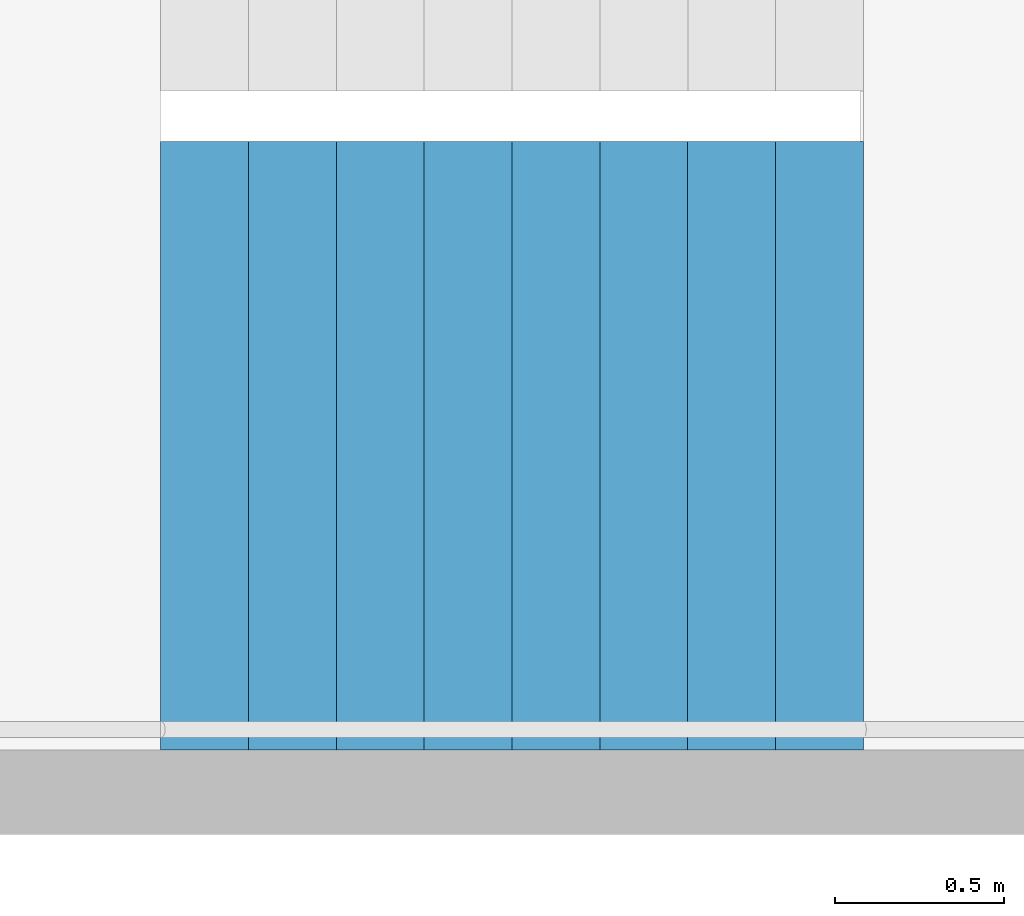
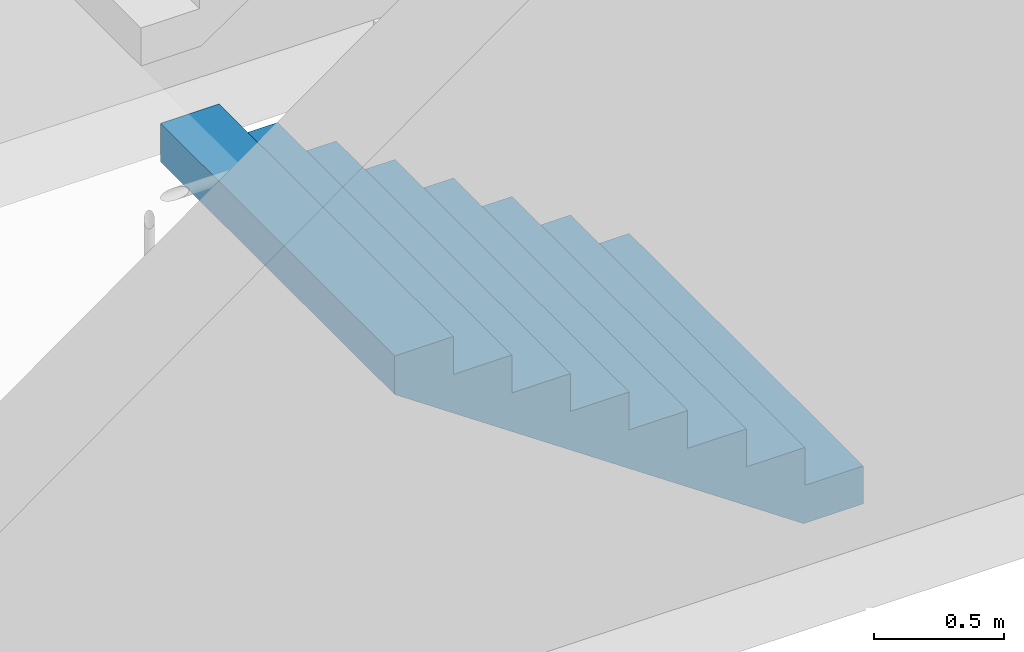
# One storey, part 29 of 43: 1 stair flight, 1 element without a shape of its own.
"""IFC4 building model written with IfcOpenShell, lengths in metres."""

from ifc_helpers import new_model, si_unit, direction, frame, origin, place, context, subcontext, project, spatial, triangles, material, type_object, element, aggregate, save


model = new_model("IFC4")

# Units and contexts
model_context = context("Model", 3, precision=1e-05, world=origin(), true_north=direction((0.0, 1.0)))
body_context = subcontext(model_context, "Body", "Model", "MODEL_VIEW")
ifc_project = project(units=[si_unit("LENGTHUNIT", "METRE"), si_unit("AREAUNIT", "SQUARE_METRE"), si_unit("VOLUMEUNIT", "CUBIC_METRE"), si_unit("PLANEANGLEUNIT", "RADIAN"), si_unit("MASSUNIT", "GRAM", prefix="KILO")], contexts=[model_context])

# Site, building, storey
site_placement = place(None, origin())
site = spatial("IfcSite", under=ifc_project, at=site_placement, CompositionType="ELEMENT")
building_placement = place(site_placement, origin())
building = spatial("IfcBuilding", under=site, at=building_placement, Name="Hakoniwa Tower and Hamabe Station Hall", CompositionType="ELEMENT")
storey_placement = place(building_placement, frame((0.0, 0.0, 124.60009765625)))
storey = spatial("IfcBuildingStorey", under=building, at=storey_placement, Name="L35", CompositionType="ELEMENT", Elevation=124.60009765625)

# Stair, stair flight
ifc_material_1 = material(Name="Concrete C40", Category="concrete")
stair_type = type_object("IfcStairType", Name="ESCAPE STAIR 1800", PredefinedType="HALF_TURN_STAIR", material=ifc_material_1)
stair_placement = place(storey_placement, origin())
stair = element("IfcStair", 1, at=stair_placement, inside=storey, type_object=stair_type, Name="Escape stair ST-3 L35", PredefinedType="HALF_TURN_STAIR")
ifc_material_2 = material(Name="Concrete C40", Category="concrete")
stair_flight_type = type_object("IfcStairFlightType", Name="STAIR FLIGHT 1800", PredefinedType="STRAIGHT", material=ifc_material_2)
stair_flight_placement = place(storey_placement, frame((24.39990234375, 4.64990234375, 0.0), z_axis=(0.0, 0.0, 1.0), x_axis=(-1.0, 0.0, 0.0)))
stair_flight = element("IfcStairFlight", 2, at=stair_flight_placement, type_object=stair_flight_type, Name="ST-3 flight 1", NumberOfRisers=9, NumberOfTreads=8, PredefinedType="STRAIGHT", RiserHeight=0.177777778, TreadLength=0.26, context=body_context, shape_type="Tessellation", body=[
    triangles([(0.0, 0.89990234375, 0.0), (0.260009765625, 0.89990234375, 0.0), (0.265625, 0.89990234375, 0.0), (0.52001953125, 0.89990234375, 0.174072265625), (0.780029296875, 0.89990234375, 0.351806640625), (1.0400390625, 0.89990234375, 0.529541015625), (1.300048828125, 0.89990234375, 0.707275390625), (1.56005859375, 0.89990234375, 0.885009765625), (1.820068359375, 0.89990234375, 1.062744140625), (2.080078125, 0.89990234375, 1.24072265625), (2.080078125, 0.89990234375, 1.422119140625), (1.820068359375, 0.89990234375, 1.422119140625), (1.820068359375, 0.89990234375, 1.244384765625), (1.56005859375, 0.89990234375, 1.244384765625), (1.56005859375, 0.89990234375, 1.066650390625), (1.300048828125, 0.89990234375, 1.066650390625), (1.300048828125, 0.89990234375, 0.888916015625), (1.0400390625, 0.89990234375, 0.888916015625), (1.0400390625, 0.89990234375, 0.711181640625), (0.780029296875, 0.89990234375, 0.711181640625), (0.780029296875, 0.89990234375, 0.533447265625), (0.52001953125, 0.89990234375, 0.533447265625), (0.52001953125, 0.89990234375, 0.35546875), (0.265625, 0.89990234375, 0.35546875), (0.260009765625, 0.89990234375, 0.35546875), (0.260009765625, 0.89990234375, 0.177734375), (0.0, 0.89990234375, 0.177734375), (0.0, 0.06005859375, 0.0), (0.260009765625, 0.06005859375, 0.0), (0.265625, 0.06005859375, 0.0), (0.52001953125, 0.06005859375, 0.174072265625), (0.780029296875, 0.06005859375, 0.351806640625), (1.0400390625, 0.06005859375, 0.529541015625), (1.300048828125, 0.06005859375, 0.707275390625), (1.56005859375, 0.06005859375, 0.885009765625), (1.820068359375, 0.06005859375, 1.062744140625), (2.080078125, 0.06005859375, 1.24072265625), (2.080078125, 0.06005859375, 1.422119140625), (1.820068359375, 0.06005859375, 1.422119140625), (1.820068359375, 0.06005859375, 1.244384765625), (1.56005859375, 0.06005859375, 1.244384765625), (1.56005859375, 0.06005859375, 1.066650390625), (1.300048828125, 0.06005859375, 1.066650390625), (1.300048828125, 0.06005859375, 0.888916015625), (1.0400390625, 0.06005859375, 0.888916015625), (1.0400390625, 0.06005859375, 0.711181640625), (0.780029296875, 0.06005859375, 0.711181640625), (0.780029296875, 0.06005859375, 0.533447265625), (0.52001953125, 0.06005859375, 0.533447265625), (0.52001953125, 0.06005859375, 0.35546875), (0.265625, 0.06005859375, 0.35546875), (0.260009765625, 0.06005859375, 0.35546875), (0.260009765625, 0.06005859375, 0.177734375), (0.0, 0.06005859375, 0.177734375), (0.0, 0.04296875, 0.0), (0.260009765625, 0.04296875, 0.0), (0.265625, 0.04296875, 0.0), (0.52001953125, 0.04296875, 0.174072265625), (0.780029296875, 0.04296875, 0.351806640625), (1.0400390625, 0.04296875, 0.529541015625), (1.300048828125, 0.04296875, 0.707275390625), (1.56005859375, 0.04296875, 0.885009765625), (1.820068359375, 0.04296875, 1.062744140625), (2.080078125, 0.04296875, 1.24072265625), (2.080078125, 0.04296875, 1.422119140625), (1.820068359375, 0.04296875, 1.422119140625), (1.820068359375, 0.04296875, 1.244384765625), (1.56005859375, 0.04296875, 1.244384765625), (1.56005859375, 0.04296875, 1.066650390625), (1.300048828125, 0.04296875, 1.066650390625), (1.300048828125, 0.04296875, 0.888916015625), (1.0400390625, 0.04296875, 0.888916015625), (1.0400390625, 0.04296875, 0.711181640625), (0.780029296875, 0.04296875, 0.711181640625), (0.780029296875, 0.04296875, 0.533447265625), (0.52001953125, 0.04296875, 0.533447265625), (0.52001953125, 0.04296875, 0.35546875), (0.265625, 0.04296875, 0.35546875), (0.260009765625, 0.04296875, 0.35546875), (0.260009765625, 0.04296875, 0.177734375), (0.0, 0.04296875, 0.177734375), (0.0, 0.025634765625, 0.0), (0.260009765625, 0.025634765625, 0.0), (0.265625, 0.025634765625, 0.0), (0.52001953125, 0.025634765625, 0.174072265625), (0.780029296875, 0.025634765625, 0.351806640625), (1.0400390625, 0.025634765625, 0.529541015625), (1.300048828125, 0.025634765625, 0.707275390625), (1.56005859375, 0.025634765625, 0.885009765625), (1.820068359375, 0.025634765625, 1.062744140625), (2.080078125, 0.025634765625, 1.24072265625), (2.080078125, 0.025634765625, 1.422119140625), (1.820068359375, 0.025634765625, 1.422119140625), (1.820068359375, 0.025634765625, 1.244384765625), (1.56005859375, 0.025634765625, 1.244384765625), (1.56005859375, 0.025634765625, 1.066650390625), (1.300048828125, 0.025634765625, 1.066650390625), (1.300048828125, 0.025634765625, 0.888916015625), (1.0400390625, 0.025634765625, 0.888916015625), (1.0400390625, 0.025634765625, 0.711181640625), (0.780029296875, 0.025634765625, 0.711181640625), (0.780029296875, 0.025634765625, 0.533447265625), (0.52001953125, 0.025634765625, 0.533447265625), (0.52001953125, 0.025634765625, 0.35546875), (0.265625, 0.025634765625, 0.35546875), (0.260009765625, 0.025634765625, 0.35546875), (0.260009765625, 0.025634765625, 0.177734375), (0.0, 0.025634765625, 0.177734375), (0.0, 0.008544921875, 0.0), (0.260009765625, 0.008544921875, 0.0), (0.265625, 0.008544921875, 0.0), (0.52001953125, 0.008544921875, 0.174072265625), (0.780029296875, 0.008544921875, 0.351806640625), (1.0400390625, 0.008544921875, 0.529541015625), (1.300048828125, 0.008544921875, 0.707275390625), (1.56005859375, 0.008544921875, 0.885009765625), (1.820068359375, 0.008544921875, 1.062744140625), (2.080078125, 0.008544921875, 1.24072265625), (2.080078125, 0.008544921875, 1.422119140625), (1.820068359375, 0.008544921875, 1.422119140625), (1.820068359375, 0.008544921875, 1.244384765625), (1.56005859375, 0.008544921875, 1.244384765625), (1.56005859375, 0.008544921875, 1.066650390625), (1.300048828125, 0.008544921875, 1.066650390625), (1.300048828125, 0.008544921875, 0.888916015625), (1.0400390625, 0.008544921875, 0.888916015625), (1.0400390625, 0.008544921875, 0.711181640625), (0.780029296875, 0.008544921875, 0.711181640625), (0.780029296875, 0.008544921875, 0.533447265625), (0.52001953125, 0.008544921875, 0.533447265625), (0.52001953125, 0.008544921875, 0.35546875), (0.265625, 0.008544921875, 0.35546875), (0.260009765625, 0.008544921875, 0.35546875), (0.260009765625, 0.008544921875, 0.177734375), (0.0, 0.008544921875, 0.177734375), (0.0, -0.008544921875, 0.0), (0.260009765625, -0.008544921875, 0.0), (0.265625, -0.008544921875, 0.0), (0.52001953125, -0.008544921875, 0.174072265625), (0.780029296875, -0.008544921875, 0.351806640625), (1.0400390625, -0.008544921875, 0.529541015625), (1.300048828125, -0.008544921875, 0.707275390625), (1.56005859375, -0.008544921875, 0.885009765625), (1.820068359375, -0.008544921875, 1.062744140625), (2.080078125, -0.008544921875, 1.24072265625), (2.080078125, -0.008544921875, 1.422119140625), (1.820068359375, -0.008544921875, 1.422119140625), (1.820068359375, -0.008544921875, 1.244384765625), (1.56005859375, -0.008544921875, 1.244384765625), (1.56005859375, -0.008544921875, 1.066650390625), (1.300048828125, -0.008544921875, 1.066650390625), (1.300048828125, -0.008544921875, 0.888916015625), (1.0400390625, -0.008544921875, 0.888916015625), (1.0400390625, -0.008544921875, 0.711181640625), (0.780029296875, -0.008544921875, 0.711181640625), (0.780029296875, -0.008544921875, 0.533447265625), (0.52001953125, -0.008544921875, 0.533447265625), (0.52001953125, -0.008544921875, 0.35546875), (0.265625, -0.008544921875, 0.35546875), (0.260009765625, -0.008544921875, 0.35546875), (0.260009765625, -0.008544921875, 0.177734375), (0.0, -0.008544921875, 0.177734375), (0.0, -0.025634765625, 0.0), (0.260009765625, -0.025634765625, 0.0), (0.265625, -0.025634765625, 0.0), (0.52001953125, -0.025634765625, 0.174072265625), (0.780029296875, -0.025634765625, 0.351806640625), (1.0400390625, -0.025634765625, 0.529541015625), (1.300048828125, -0.025634765625, 0.707275390625), (1.56005859375, -0.025634765625, 0.885009765625), (1.820068359375, -0.025634765625, 1.062744140625), (2.080078125, -0.025634765625, 1.24072265625), (2.080078125, -0.025634765625, 1.422119140625), (1.820068359375, -0.025634765625, 1.422119140625), (1.820068359375, -0.025634765625, 1.244384765625), (1.56005859375, -0.025634765625, 1.244384765625), (1.56005859375, -0.025634765625, 1.066650390625), (1.300048828125, -0.025634765625, 1.066650390625), (1.300048828125, -0.025634765625, 0.888916015625), (1.0400390625, -0.025634765625, 0.888916015625), (1.0400390625, -0.025634765625, 0.711181640625), (0.780029296875, -0.025634765625, 0.711181640625), (0.780029296875, -0.025634765625, 0.533447265625), (0.52001953125, -0.025634765625, 0.533447265625), (0.52001953125, -0.025634765625, 0.35546875), (0.265625, -0.025634765625, 0.35546875), (0.260009765625, -0.025634765625, 0.35546875), (0.260009765625, -0.025634765625, 0.177734375), (0.0, -0.025634765625, 0.177734375), (0.0, -0.04296875, 0.0), (0.260009765625, -0.04296875, 0.0), (0.265625, -0.04296875, 0.0), (0.52001953125, -0.04296875, 0.174072265625), (0.780029296875, -0.04296875, 0.351806640625), (1.0400390625, -0.04296875, 0.529541015625), (1.300048828125, -0.04296875, 0.707275390625), (1.56005859375, -0.04296875, 0.885009765625), (1.820068359375, -0.04296875, 1.062744140625), (2.080078125, -0.04296875, 1.24072265625), (2.080078125, -0.04296875, 1.422119140625), (1.820068359375, -0.04296875, 1.422119140625), (1.820068359375, -0.04296875, 1.244384765625), (1.56005859375, -0.04296875, 1.244384765625), (1.56005859375, -0.04296875, 1.066650390625), (1.300048828125, -0.04296875, 1.066650390625), (1.300048828125, -0.04296875, 0.888916015625), (1.0400390625, -0.04296875, 0.888916015625), (1.0400390625, -0.04296875, 0.711181640625), (0.780029296875, -0.04296875, 0.711181640625), (0.780029296875, -0.04296875, 0.533447265625), (0.52001953125, -0.04296875, 0.533447265625), (0.52001953125, -0.04296875, 0.35546875), (0.265625, -0.04296875, 0.35546875), (0.260009765625, -0.04296875, 0.35546875), (0.260009765625, -0.04296875, 0.177734375), (0.0, -0.04296875, 0.177734375), (0.0, -0.06005859375, 0.0), (0.260009765625, -0.06005859375, 0.0), (0.265625, -0.06005859375, 0.0), (0.52001953125, -0.06005859375, 0.174072265625), (0.780029296875, -0.06005859375, 0.351806640625), (1.0400390625, -0.06005859375, 0.529541015625), (1.300048828125, -0.06005859375, 0.707275390625), (1.56005859375, -0.06005859375, 0.885009765625), (1.820068359375, -0.06005859375, 1.062744140625), (2.080078125, -0.06005859375, 1.24072265625), (2.080078125, -0.06005859375, 1.422119140625), (1.820068359375, -0.06005859375, 1.422119140625), (1.820068359375, -0.06005859375, 1.244384765625), (1.56005859375, -0.06005859375, 1.244384765625), (1.56005859375, -0.06005859375, 1.066650390625), (1.300048828125, -0.06005859375, 1.066650390625), (1.300048828125, -0.06005859375, 0.888916015625), (1.0400390625, -0.06005859375, 0.888916015625), (1.0400390625, -0.06005859375, 0.711181640625), (0.780029296875, -0.06005859375, 0.711181640625), (0.780029296875, -0.06005859375, 0.533447265625), (0.52001953125, -0.06005859375, 0.533447265625), (0.52001953125, -0.06005859375, 0.35546875), (0.265625, -0.06005859375, 0.35546875), (0.260009765625, -0.06005859375, 0.35546875), (0.260009765625, -0.06005859375, 0.177734375), (0.0, -0.06005859375, 0.177734375), (0.0, -0.89990234375, 0.0), (0.260009765625, -0.89990234375, 0.0), (0.265625, -0.89990234375, 0.0), (0.52001953125, -0.89990234375, 0.174072265625), (0.780029296875, -0.89990234375, 0.351806640625), (1.0400390625, -0.89990234375, 0.529541015625), (1.300048828125, -0.89990234375, 0.707275390625), (1.56005859375, -0.89990234375, 0.885009765625), (1.820068359375, -0.89990234375, 1.062744140625), (2.080078125, -0.89990234375, 1.24072265625), (2.080078125, -0.89990234375, 1.422119140625), (1.820068359375, -0.89990234375, 1.422119140625), (1.820068359375, -0.89990234375, 1.244384765625), (1.56005859375, -0.89990234375, 1.244384765625), (1.56005859375, -0.89990234375, 1.066650390625), (1.300048828125, -0.89990234375, 1.066650390625), (1.300048828125, -0.89990234375, 0.888916015625), (1.0400390625, -0.89990234375, 0.888916015625), (1.0400390625, -0.89990234375, 0.711181640625), (0.780029296875, -0.89990234375, 0.711181640625), (0.780029296875, -0.89990234375, 0.533447265625), (0.52001953125, -0.89990234375, 0.533447265625), (0.52001953125, -0.89990234375, 0.35546875), (0.265625, -0.89990234375, 0.35546875), (0.260009765625, -0.89990234375, 0.35546875), (0.260009765625, -0.89990234375, 0.177734375), (0.0, -0.89990234375, 0.177734375)], [[2, 27, 26], [245, 269, 270], [2, 1, 27], [245, 270, 244], [3, 25, 24], [246, 267, 268], [3, 26, 25], [246, 268, 269], [3, 2, 26], [246, 269, 245], [4, 24, 23], [247, 266, 267], [4, 3, 24], [247, 267, 246], [5, 22, 21], [248, 264, 265], [5, 23, 22], [248, 265, 266], [5, 4, 23], [248, 266, 247], [6, 20, 19], [249, 262, 263], [6, 21, 20], [249, 263, 264], [6, 5, 21], [249, 264, 248], [7, 18, 17], [250, 260, 261], [7, 19, 18], [250, 261, 262], [7, 6, 19], [250, 262, 249], [8, 16, 15], [251, 258, 259], [8, 17, 16], [251, 259, 260], [8, 7, 17], [251, 260, 250], [9, 14, 13], [252, 256, 257], [9, 15, 14], [252, 257, 258], [9, 8, 15], [252, 258, 251], [10, 12, 11], [253, 254, 255], [10, 13, 12], [253, 255, 256], [10, 9, 13], [253, 256, 252], [1, 2, 29], [1, 29, 28], [28, 29, 56], [28, 56, 55], [55, 56, 83], [55, 83, 82], [82, 83, 110], [82, 110, 109], [109, 110, 137], [109, 137, 136], [136, 137, 164], [136, 164, 163], [163, 164, 191], [163, 191, 190], [190, 191, 218], [190, 218, 217], [217, 218, 245], [217, 245, 244], [2, 3, 30], [2, 30, 29], [29, 30, 57], [29, 57, 56], [56, 57, 84], [56, 84, 83], [83, 84, 111], [83, 111, 110], [110, 111, 138], [110, 138, 137], [137, 138, 165], [137, 165, 164], [164, 165, 192], [164, 192, 191], [191, 192, 219], [191, 219, 218], [218, 219, 246], [218, 246, 245], [3, 4, 31], [3, 31, 30], [30, 31, 58], [30, 58, 57], [57, 58, 85], [57, 85, 84], [84, 85, 112], [84, 112, 111], [111, 112, 139], [111, 139, 138], [138, 139, 166], [138, 166, 165], [165, 166, 193], [165, 193, 192], [192, 193, 220], [192, 220, 219], [219, 220, 247], [219, 247, 246], [4, 5, 32], [4, 32, 31], [31, 32, 59], [31, 59, 58], [58, 59, 86], [58, 86, 85], [85, 86, 113], [85, 113, 112], [112, 113, 140], [112, 140, 139], [139, 140, 167], [139, 167, 166], [166, 167, 194], [166, 194, 193], [193, 194, 221], [193, 221, 220], [220, 221, 248], [220, 248, 247], [5, 6, 33], [5, 33, 32], [32, 33, 60], [32, 60, 59], [59, 60, 87], [59, 87, 86], [86, 87, 114], [86, 114, 113], [113, 114, 141], [113, 141, 140], [140, 141, 168], [140, 168, 167], [167, 168, 195], [167, 195, 194], [194, 195, 222], [194, 222, 221], [221, 222, 249], [221, 249, 248], [6, 7, 34], [6, 34, 33], [33, 34, 61], [33, 61, 60], [60, 61, 88], [60, 88, 87], [87, 88, 115], [87, 115, 114], [114, 115, 142], [114, 142, 141], [141, 142, 169], [141, 169, 168], [168, 169, 196], [168, 196, 195], [195, 196, 223], [195, 223, 222], [222, 223, 250], [222, 250, 249], [7, 8, 35], [7, 35, 34], [34, 35, 62], [34, 62, 61], [61, 62, 89], [61, 89, 88], [88, 89, 116], [88, 116, 115], [115, 116, 143], [115, 143, 142], [142, 143, 170], [142, 170, 169], [169, 170, 197], [169, 197, 196], [196, 197, 224], [196, 224, 223], [223, 224, 251], [223, 251, 250], [8, 9, 36], [8, 36, 35], [35, 36, 63], [35, 63, 62], [62, 63, 90], [62, 90, 89], [89, 90, 117], [89, 117, 116], [116, 117, 144], [116, 144, 143], [143, 144, 171], [143, 171, 170], [170, 171, 198], [170, 198, 197], [197, 198, 225], [197, 225, 224], [224, 225, 252], [224, 252, 251], [9, 10, 37], [9, 37, 36], [36, 37, 64], [36, 64, 63], [63, 64, 91], [63, 91, 90], [90, 91, 118], [90, 118, 117], [117, 118, 145], [117, 145, 144], [144, 145, 172], [144, 172, 171], [171, 172, 199], [171, 199, 198], [198, 199, 226], [198, 226, 225], [225, 226, 253], [225, 253, 252], [10, 11, 38], [10, 38, 37], [37, 38, 65], [37, 65, 64], [64, 65, 92], [64, 92, 91], [91, 92, 119], [91, 119, 118], [118, 119, 146], [118, 146, 145], [145, 146, 173], [145, 173, 172], [172, 173, 200], [172, 200, 199], [199, 200, 227], [199, 227, 226], [226, 227, 254], [226, 254, 253], [11, 12, 39], [11, 39, 38], [38, 39, 66], [38, 66, 65], [65, 66, 93], [65, 93, 92], [92, 93, 120], [92, 120, 119], [119, 120, 147], [119, 147, 146], [146, 147, 174], [146, 174, 173], [173, 174, 201], [173, 201, 200], [200, 201, 228], [200, 228, 227], [227, 228, 255], [227, 255, 254], [12, 13, 40], [12, 40, 39], [39, 40, 67], [39, 67, 66], [66, 67, 94], [66, 94, 93], [93, 94, 121], [93, 121, 120], [120, 121, 148], [120, 148, 147], [147, 148, 175], [147, 175, 174], [174, 175, 202], [174, 202, 201], [201, 202, 229], [201, 229, 228], [228, 229, 256], [228, 256, 255], [13, 14, 41], [13, 41, 40], [40, 41, 68], [40, 68, 67], [67, 68, 95], [67, 95, 94], [94, 95, 122], [94, 122, 121], [121, 122, 149], [121, 149, 148], [148, 149, 176], [148, 176, 175], [175, 176, 203], [175, 203, 202], [202, 203, 230], [202, 230, 229], [229, 230, 257], [229, 257, 256], [14, 15, 42], [14, 42, 41], [41, 42, 69], [41, 69, 68], [68, 69, 96], [68, 96, 95], [95, 96, 123], [95, 123, 122], [122, 123, 150], [122, 150, 149], [149, 150, 177], [149, 177, 176], [176, 177, 204], [176, 204, 203], [203, 204, 231], [203, 231, 230], [230, 231, 258], [230, 258, 257], [15, 16, 43], [15, 43, 42], [42, 43, 70], [42, 70, 69], [69, 70, 97], [69, 97, 96], [96, 97, 124], [96, 124, 123], [123, 124, 151], [123, 151, 150], [150, 151, 178], [150, 178, 177], [177, 178, 205], [177, 205, 204], [204, 205, 232], [204, 232, 231], [231, 232, 259], [231, 259, 258], [16, 17, 44], [16, 44, 43], [43, 44, 71], [43, 71, 70], [70, 71, 98], [70, 98, 97], [97, 98, 125], [97, 125, 124], [124, 125, 152], [124, 152, 151], [151, 152, 179], [151, 179, 178], [178, 179, 206], [178, 206, 205], [205, 206, 233], [205, 233, 232], [232, 233, 260], [232, 260, 259], [17, 18, 45], [17, 45, 44], [44, 45, 72], [44, 72, 71], [71, 72, 99], [71, 99, 98], [98, 99, 126], [98, 126, 125], [125, 126, 153], [125, 153, 152], [152, 153, 180], [152, 180, 179], [179, 180, 207], [179, 207, 206], [206, 207, 234], [206, 234, 233], [233, 234, 261], [233, 261, 260], [18, 19, 46], [18, 46, 45], [45, 46, 73], [45, 73, 72], [72, 73, 100], [72, 100, 99], [99, 100, 127], [99, 127, 126], [126, 127, 154], [126, 154, 153], [153, 154, 181], [153, 181, 180], [180, 181, 208], [180, 208, 207], [207, 208, 235], [207, 235, 234], [234, 235, 262], [234, 262, 261], [19, 20, 47], [19, 47, 46], [46, 47, 74], [46, 74, 73], [73, 74, 101], [73, 101, 100], [100, 101, 128], [100, 128, 127], [127, 128, 155], [127, 155, 154], [154, 155, 182], [154, 182, 181], [181, 182, 209], [181, 209, 208], [208, 209, 236], [208, 236, 235], [235, 236, 263], [235, 263, 262], [20, 21, 48], [20, 48, 47], [47, 48, 75], [47, 75, 74], [74, 75, 102], [74, 102, 101], [101, 102, 129], [101, 129, 128], [128, 129, 156], [128, 156, 155], [155, 156, 183], [155, 183, 182], [182, 183, 210], [182, 210, 209], [209, 210, 237], [209, 237, 236], [236, 237, 264], [236, 264, 263], [21, 22, 49], [21, 49, 48], [48, 49, 76], [48, 76, 75], [75, 76, 103], [75, 103, 102], [102, 103, 130], [102, 130, 129], [129, 130, 157], [129, 157, 156], [156, 157, 184], [156, 184, 183], [183, 184, 211], [183, 211, 210], [210, 211, 238], [210, 238, 237], [237, 238, 265], [237, 265, 264], [22, 23, 50], [22, 50, 49], [49, 50, 77], [49, 77, 76], [76, 77, 104], [76, 104, 103], [103, 104, 131], [103, 131, 130], [130, 131, 158], [130, 158, 157], [157, 158, 185], [157, 185, 184], [184, 185, 212], [184, 212, 211], [211, 212, 239], [211, 239, 238], [238, 239, 266], [238, 266, 265], [23, 24, 51], [23, 51, 50], [50, 51, 78], [50, 78, 77], [77, 78, 105], [77, 105, 104], [104, 105, 132], [104, 132, 131], [131, 132, 159], [131, 159, 158], [158, 159, 186], [158, 186, 185], [185, 186, 213], [185, 213, 212], [212, 213, 240], [212, 240, 239], [239, 240, 267], [239, 267, 266], [24, 25, 52], [24, 52, 51], [51, 52, 79], [51, 79, 78], [78, 79, 106], [78, 106, 105], [105, 106, 133], [105, 133, 132], [132, 133, 160], [132, 160, 159], [159, 160, 187], [159, 187, 186], [186, 187, 214], [186, 214, 213], [213, 214, 241], [213, 241, 240], [240, 241, 268], [240, 268, 267], [25, 26, 53], [25, 53, 52], [52, 53, 80], [52, 80, 79], [79, 80, 107], [79, 107, 106], [106, 107, 134], [106, 134, 133], [133, 134, 161], [133, 161, 160], [160, 161, 188], [160, 188, 187], [187, 188, 215], [187, 215, 214], [214, 215, 242], [214, 242, 241], [241, 242, 269], [241, 269, 268], [26, 27, 54], [26, 54, 53], [53, 54, 81], [53, 81, 80], [80, 81, 108], [80, 108, 107], [107, 108, 135], [107, 135, 134], [134, 135, 162], [134, 162, 161], [161, 162, 189], [161, 189, 188], [188, 189, 216], [188, 216, 215], [215, 216, 243], [215, 243, 242], [242, 243, 270], [242, 270, 269], [27, 1, 28], [27, 28, 54], [54, 28, 55], [54, 55, 81], [81, 55, 82], [81, 82, 108], [108, 82, 109], [108, 109, 135], [135, 109, 136], [135, 136, 162], [162, 136, 163], [162, 163, 189], [189, 163, 190], [189, 190, 216], [216, 190, 217], [216, 217, 243], [243, 217, 244], [243, 244, 270]], closed=True),
])
aggregate(stair, [stair_flight])

save(model, "model.ifc")
